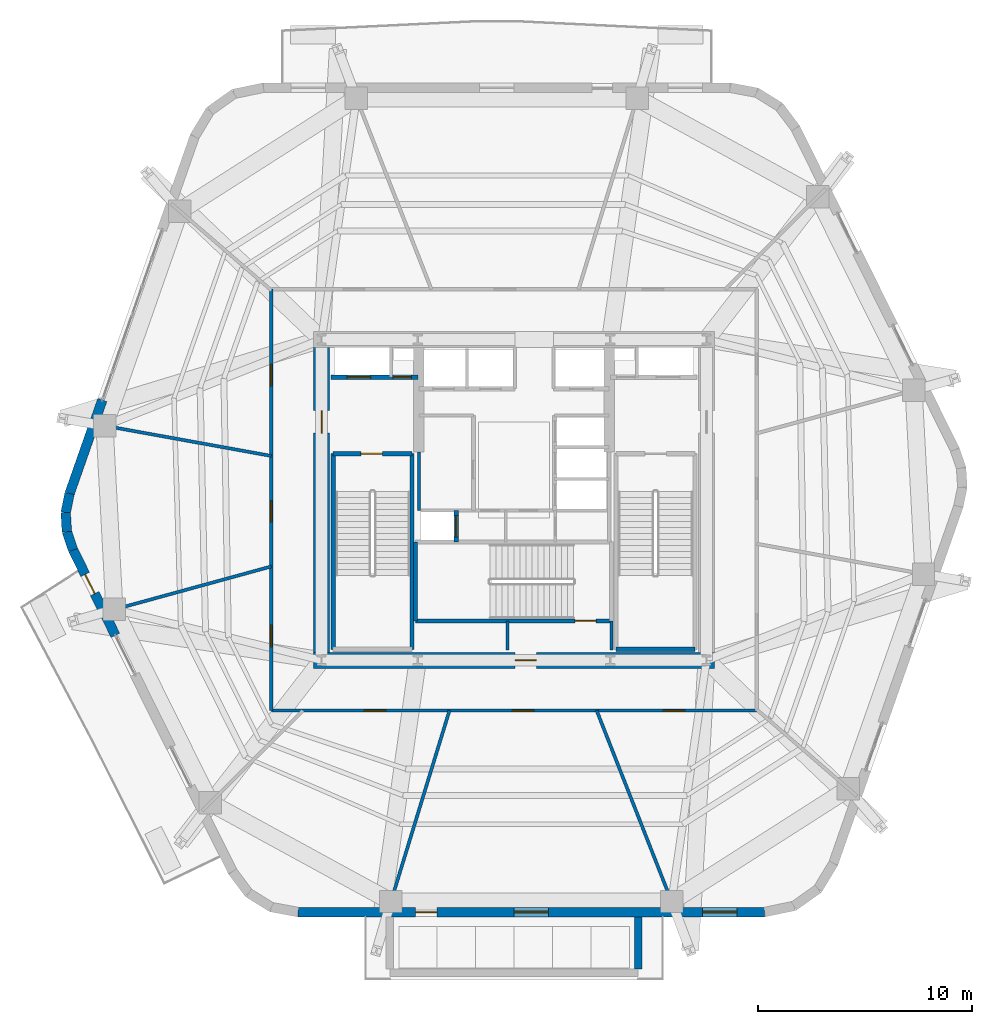
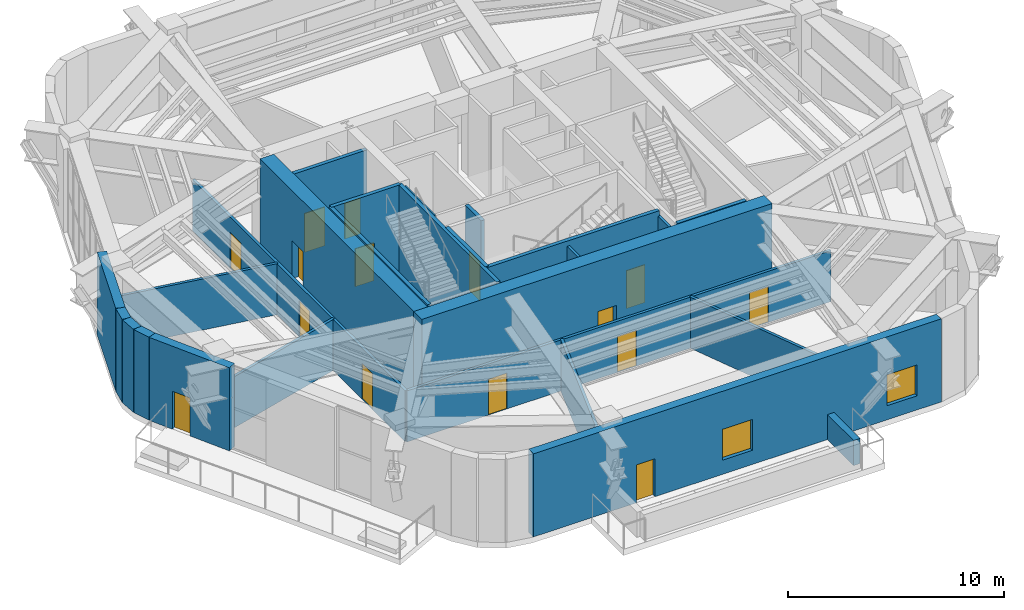
# One storey, part 13 of 18: 26 walls, 15 doors, 2 windows, 17 openings.
"""IFC4 building model written with IfcOpenShell, lengths in metres."""

from ifc_helpers import new_model, si_unit, direction, frame, frame_2d, origin, place, context, subcontext, project, spatial, rectangle, extrude, material, layer, layer_set, type_object, element, fill, save


model = new_model("IFC4")

# Units and contexts
model_context = context("Model", 3, precision=1e-05, world=origin(), true_north=direction((0.0, 1.0)))
body_context = subcontext(model_context, "Body", "Model", "MODEL_VIEW")
ifc_project = project(units=[si_unit("LENGTHUNIT", "METRE"), si_unit("AREAUNIT", "SQUARE_METRE"), si_unit("VOLUMEUNIT", "CUBIC_METRE"), si_unit("PLANEANGLEUNIT", "RADIAN"), si_unit("MASSUNIT", "GRAM", prefix="KILO")], contexts=[model_context])

# Site, building, storey
site_placement = place(None, origin())
site = spatial("IfcSite", under=ifc_project, at=site_placement, CompositionType="ELEMENT")
building_placement = place(site_placement, origin())
building = spatial("IfcBuilding", under=site, at=building_placement, Name="Kilnhurst Terrace Hotel", CompositionType="ELEMENT")
storey_placement = place(building_placement, frame((0.0, 0.0, 201.5)))
storey = spatial("IfcBuildingStorey", under=building, at=storey_placement, Name="L50", CompositionType="ELEMENT", Elevation=201.5)

# Walls
ifc_material_1 = material(Name="Precast concrete C40/50", Category="concrete")
ifc_layer_1 = layer(ifc_material_1, 0.449951171875, Name="Precast concrete C40/50")
ifc_layer_set_1 = layer_set([ifc_layer_1], Name="Precast concrete C40/50")
wall_type_1 = type_object("IfcWallType", Name="WL-BRK-450", PredefinedType="SOLIDWALL", material=ifc_layer_set_1)
wall_1_placement = place(storey_placement, frame((-20.78173828125, 0.298095703125, 0.0), z_axis=(0.0, 0.0, 1.0), x_axis=(-0.202570068411, -0.979267771033, 0.0)))
element("IfcWall", 1, at=wall_1_placement, inside=storey, type_object=wall_type_1, Name="L50 Rounded Corner Brick Wall C6.1", PredefinedType="SOLIDWALL", context=body_context, shape_type="SweptSolid", body=[
    extrude(rectangle(XDim=0.90869140625, YDim=0.449951171875, at=frame_2d((0.454345703125, 0.0))), origin(), (0.0, 0.0, 1.0), 4.699951171875),
])
wall_2_placement = place(storey_placement, frame((-20.9658203125, -0.591796875, 0.0), z_axis=(0.0, 0.0, 1.0), x_axis=(0.061748898935, -0.998091715966, 0.0)))
element("IfcWall", 2, at=wall_2_placement, inside=storey, type_object=wall_type_1, Name="L50 Rounded Corner Brick Wall C6.2", PredefinedType="SOLIDWALL", context=body_context, shape_type="SweptSolid", body=[
    extrude(rectangle(XDim=0.8935546875, YDim=0.449951171875, at=frame_2d((0.44677734375, 0.0))), origin(), (0.0, 0.0, 1.0), 4.699951171875),
])
wall_3_placement = place(storey_placement, frame((-20.91064453125, -1.483642578125, 0.0), z_axis=(0.0, 0.0, 1.0), x_axis=(0.321623334353, -0.946867694453, 0.0)))
element("IfcWall", 3, at=wall_3_placement, inside=storey, type_object=wall_type_1, Name="L50 Rounded Corner Brick Wall C6.3", PredefinedType="SOLIDWALL", context=body_context, shape_type="SweptSolid", body=[
    extrude(rectangle(XDim=0.90869140625, YDim=0.449951171875, at=frame_2d((0.454345703125, 0.0))), origin(), (0.0, 0.0, 1.0), 4.699951171875),
])

# Wall, openings, door, windows
wall_4_placement = place(storey_placement, frame((-10.1083984375, -19.27490234375, 0.0), z_axis=(0.0, 0.0, 1.0), x_axis=(1.0, 0.0, 0.0)))
wall_4 = element("IfcWall", 4, at=wall_4_placement, inside=storey, type_object=wall_type_1, Name="L50 Exterior Brick Facade Wall F1", PredefinedType="SOLIDWALL", context=body_context, shape_type="SweptSolid", body=[
    extrude(rectangle(XDim=21.828857421875, YDim=0.449951171875, at=frame_2d((10.91455078125, 0.0))), origin(), (0.0, 0.0, 1.0), 4.699951171875),
])
opening_1_placement = place(wall_4_placement, frame((5.5029296875, 0.0, 0.0)))
opening_1 = element("IfcOpeningElement", 5, at=opening_1_placement, cuts=wall_4, Name="Opening BD-1000", PredefinedType="OPENING", context=body_context, shape_type="SweptSolid", body=[
    extrude(rectangle(XDim=1.0, YDim=2.14990234375, at=frame_2d((0.5, 1.074951171875))), frame((0.0, 0.23486328125, 0.0), z_axis=(0.0, -1.0, 0.0), x_axis=(1.0, 0.0, 0.0)), (0.0, 0.0, 1.0), 0.469970703125),
])
opening_2_placement = place(wall_4_placement, frame((10.114990234375, 0.0, 0.800048828125)))
opening_2 = element("IfcOpeningElement", 6, at=opening_2_placement, cuts=wall_4, Name="Opening W-05", PredefinedType="OPENING", context=body_context, shape_type="SweptSolid", body=[
    extrude(rectangle(XDim=1.60009765625, YDim=1.75, at=frame_2d((0.800048828125, 0.875))), frame((0.0, 0.23486328125, 0.0), z_axis=(0.0, -1.0, 0.0), x_axis=(1.0, 0.0, 0.0)), (0.0, 0.0, 1.0), 0.469970703125),
])
opening_3_placement = place(wall_4_placement, frame((18.93310546875, 0.0, 0.800048828125)))
opening_3 = element("IfcOpeningElement", 7, at=opening_3_placement, cuts=wall_4, Name="Opening W-05", PredefinedType="OPENING", context=body_context, shape_type="SweptSolid", body=[
    extrude(rectangle(XDim=1.60009765625, YDim=1.75, at=frame_2d((0.800048828125, 0.875))), frame((0.0, 0.23486328125, 0.0), z_axis=(0.0, -1.0, 0.0), x_axis=(1.0, 0.0, 0.0)), (0.0, 0.0, 1.0), 0.469970703125),
])
ifc_material_2 = material(Name="Thermally Broken Bronze Aluminium Alloy 6063-T6 and Laminated Glass", Category="aluminium")
door_type_1 = type_object("IfcDoorType", Name="DR-EXT-BAL-1000", OperationType="NOTDEFINED", PredefinedType="DOOR", material=ifc_material_2)
door_1_placement = place(opening_1_placement, origin())
door_1 = element("IfcDoor", 8, at=door_1_placement, inside=storey, type_object=door_type_1, Name="L50 Planted Balcony Door SKYPOOL", OperationType="SINGLE_SWING_LEFT", OverallHeight=2.14990234375, OverallWidth=1.0, PredefinedType="DOOR", context=body_context, shape_type="SweptSolid", body=[
    extrude(rectangle(XDim=1.0, YDim=2.14990234375, at=frame_2d((0.5, 1.074951171875))), frame((0.0, 0.02490234375, 0.0), z_axis=(0.0, -1.0, 0.0), x_axis=(1.0, 0.0, 0.0)), (0.0, 0.0, 1.0), 0.050048828125),
])
fill(opening_1, door_1)
ifc_material_3 = material(Name="Thermally Broken Bronze Aluminium Alloy 6063-T6 and Low-E Glass", Category="aluminium")
window_type = type_object("IfcWindowType", Name="WIN-1600X1750", PartitioningType="SINGLE_PANEL", PredefinedType="WINDOW", material=ifc_material_3)
window_1_placement = place(opening_2_placement, origin())
window_1 = element("IfcWindow", 9, at=window_1_placement, inside=storey, type_object=window_type, Name="L50 Deep-Set Masonry Window F1.1", OverallHeight=1.75, OverallWidth=1.60009765625, PartitioningType="SINGLE_PANEL", PredefinedType="WINDOW", context=body_context, shape_type="SweptSolid", body=[
    extrude(rectangle(XDim=1.60009765625, YDim=1.75, at=frame_2d((0.800048828125, 0.875))), frame((0.0, 0.030029296875, 0.0), z_axis=(0.0, -1.0, 0.0), x_axis=(1.0, 0.0, 0.0)), (0.0, 0.0, 1.0), 0.06005859375),
])
fill(opening_2, window_1)
window_2_placement = place(opening_3_placement, origin())
window_2 = element("IfcWindow", 10, at=window_2_placement, inside=storey, type_object=window_type, Name="L50 Deep-Set Masonry Window F1.2", OverallHeight=1.75, OverallWidth=1.60009765625, PartitioningType="SINGLE_PANEL", PredefinedType="WINDOW", context=body_context, shape_type="SweptSolid", body=[
    extrude(rectangle(XDim=1.60009765625, YDim=1.75, at=frame_2d((0.800048828125, 0.875))), frame((0.0, 0.030029296875, 0.0), z_axis=(0.0, -1.0, 0.0), x_axis=(1.0, 0.0, 0.0)), (0.0, 0.0, 1.0), 0.06005859375),
])
fill(opening_3, window_2)

# Wall
wall_5_placement = place(storey_placement, frame((-19.251708984375, 4.668701171875, 0.0), z_axis=(0.0, 0.0, 1.0), x_axis=(-0.330411483424, -0.943836983606, 0.0)))
element("IfcWall", 11, at=wall_5_placement, inside=storey, type_object=wall_type_1, Name="L50 Face 5 End Brick Pier", PredefinedType="SOLIDWALL", context=body_context, shape_type="SweptSolid", body=[
    extrude(rectangle(XDim=4.630615234375, YDim=0.449951171875, at=frame_2d((2.3154296875, 0.0))), origin(), (0.0, 0.0, 1.0), 4.699951171875),
])

# Wall, opening, door
wall_6_placement = place(storey_placement, frame((-20.618408203125, -2.343994140625, 0.0), z_axis=(0.0, 0.0, 1.0), x_axis=(0.444248024627, -0.895903841166, 0.0)))
wall_6 = element("IfcWall", 12, at=wall_6_placement, inside=storey, type_object=wall_type_1, Name="L50 Face 6 Brick Pier 1", PredefinedType="SOLIDWALL", context=body_context, shape_type="SweptSolid", body=[
    extrude(rectangle(XDim=4.44921875, YDim=0.449951171875, at=frame_2d((2.224609375, 0.0))), origin(), (0.0, 0.0, 1.0), 4.699951171875),
])
opening_4_placement = place(wall_6_placement, frame((1.27490234375, 0.0, 0.0)))
opening_4 = element("IfcOpeningElement", 13, at=opening_4_placement, cuts=wall_6, Name="Opening BD-1000", PredefinedType="OPENING", context=body_context, shape_type="SweptSolid", body=[
    extrude(rectangle(XDim=1.0, YDim=2.14990234375, at=frame_2d((0.5, 1.074951171875))), frame((0.0, 0.23486328125, 0.0), z_axis=(0.0, -1.0, 0.0), x_axis=(1.0, 0.0, 0.0)), (0.0, 0.0, 1.0), 0.469970703125),
])
door_2_placement = place(opening_4_placement, origin())
door_2 = element("IfcDoor", 14, at=door_2_placement, inside=storey, type_object=door_type_1, Name="L50 Terrace Access Door BAL-L2A", OperationType="SINGLE_SWING_LEFT", OverallHeight=2.14990234375, OverallWidth=1.0, PredefinedType="DOOR", context=body_context, shape_type="SweptSolid", body=[
    extrude(rectangle(XDim=1.0, YDim=2.14990234375, at=frame_2d((0.5, 1.074951171875))), frame((0.0, 0.02490234375, 0.0), z_axis=(0.0, -1.0, 0.0), x_axis=(1.0, 0.0, 0.0)), (0.0, 0.0, 1.0), 0.050048828125),
])
fill(opening_4, door_2)

# Wall, openings, doors
ifc_material_4 = material(Name="Acoustic Double-Gypsum Corridor Partition Assembly")
ifc_layer_2 = layer(ifc_material_4, 0.14990234375, Name="Acoustic Double-Gypsum Corridor Partition Assembly")
ifc_layer_set_2 = layer_set([ifc_layer_2], Name="Acoustic Double-Gypsum Corridor Partition Assembly")
wall_type_2 = type_object("IfcWallType", Name="WL-COR-150", PredefinedType="PARTITIONING", material=ifc_layer_set_2)
wall_7_placement = place(storey_placement, frame((-11.35009765625, -9.85009765625, 0.0), z_axis=(0.0, 0.0, 1.0), x_axis=(0.0, 1.0, 0.0)))
wall_7 = element("IfcWall", 15, at=wall_7_placement, inside=storey, type_object=wall_type_2, Name="L50 Interior Wall WL-L50-COR-01", PredefinedType="PARTITIONING", context=body_context, shape_type="SweptSolid", body=[
    extrude(rectangle(XDim=19.7001953125, YDim=0.14990234375, at=frame_2d((9.85009765625, 0.0))), origin(), (0.0, 0.0, 1.0), 2.889892578125),
])
opening_5_placement = place(wall_7_placement, frame((15.18310546875, 0.0, 0.0)))
opening_5 = element("IfcOpeningElement", 16, at=opening_5_placement, cuts=wall_7, Name="Opening D-10A", PredefinedType="OPENING", context=body_context, shape_type="SweptSolid", body=[
    extrude(rectangle(XDim=1.0, YDim=2.030029296875, at=frame_2d((0.5, 1.01513671875))), frame((0.0, 0.0849609375, 0.0), z_axis=(0.0, -1.0, 0.0), x_axis=(1.0, 0.0, 0.0)), (0.0, 0.0, 1.0), 0.169921875),
])
opening_6_placement = place(wall_7_placement, frame((8.819091796875, 0.0, 0.0)))
opening_6 = element("IfcOpeningElement", 17, at=opening_6_placement, cuts=wall_7, Name="Opening D-10A", PredefinedType="OPENING", context=body_context, shape_type="SweptSolid", body=[
    extrude(rectangle(XDim=1.0, YDim=2.030029296875, at=frame_2d((0.5, 1.01513671875))), frame((0.0, 0.0849609375, 0.0), z_axis=(0.0, -1.0, 0.0), x_axis=(1.0, 0.0, 0.0)), (0.0, 0.0, 1.0), 0.169921875),
])
opening_7_placement = place(wall_7_placement, frame((2.989013671875, 0.0, 0.0)))
opening_7 = element("IfcOpeningElement", 18, at=opening_7_placement, cuts=wall_7, Name="Opening D-10A", PredefinedType="OPENING", context=body_context, shape_type="SweptSolid", body=[
    extrude(rectangle(XDim=1.0, YDim=2.030029296875, at=frame_2d((0.5, 1.01513671875))), frame((0.0, 0.0849609375, 0.0), z_axis=(0.0, -1.0, 0.0), x_axis=(1.0, 0.0, 0.0)), (0.0, 0.0, 1.0), 0.169921875),
])
ifc_material_5 = material(Name="Solid-Core American White Oak Interior Door")
door_type_2 = type_object("IfcDoorType", Name="DR-INT-1000", OperationType="NOTDEFINED", PredefinedType="DOOR", material=ifc_material_5)
door_3_placement = place(opening_5_placement, origin())
door_3 = element("IfcDoor", 19, at=door_3_placement, inside=storey, type_object=door_type_2, Name="L50 Botanical Hydrotherapy Treatment Suite Center Wing Door", OperationType="SINGLE_SWING_LEFT", OverallHeight=2.030029296875, OverallWidth=1.0, PredefinedType="DOOR", context=body_context, shape_type="SweptSolid", body=[
    extrude(rectangle(XDim=1.0, YDim=2.030029296875, at=frame_2d((0.5, 1.01513671875))), frame((0.0, 0.02490234375, 0.0), z_axis=(0.0, -1.0, 0.0), x_axis=(1.0, 0.0, 0.0)), (0.0, 0.0, 1.0), 0.050048828125),
])
fill(opening_5, door_3)
door_4_placement = place(opening_6_placement, origin())
door_4 = element("IfcDoor", 20, at=door_4_placement, inside=storey, type_object=door_type_2, Name="L50 Botanical Hydrotherapy Treatment Suite East Wing Door", OperationType="SINGLE_SWING_RIGHT", OverallHeight=2.030029296875, OverallWidth=1.0, PredefinedType="DOOR", context=body_context, shape_type="SweptSolid", body=[
    extrude(rectangle(XDim=1.0, YDim=2.030029296875, at=frame_2d((0.5, 1.01513671875))), frame((0.0, 0.02490234375, 0.0), z_axis=(0.0, -1.0, 0.0), x_axis=(1.0, 0.0, 0.0)), (0.0, 0.0, 1.0), 0.050048828125),
])
fill(opening_6, door_4)
door_5_placement = place(opening_7_placement, origin())
door_5 = element("IfcDoor", 21, at=door_5_placement, inside=storey, type_object=door_type_2, Name="L50 Sky Spa Changing and Shower Bathroom West Wing Door", OperationType="SINGLE_SWING_LEFT", OverallHeight=2.030029296875, OverallWidth=1.0, PredefinedType="DOOR", context=body_context, shape_type="SweptSolid", body=[
    extrude(rectangle(XDim=1.0, YDim=2.030029296875, at=frame_2d((0.5, 1.01513671875))), frame((0.0, 0.02490234375, 0.0), z_axis=(0.0, -1.0, 0.0), x_axis=(1.0, 0.0, 0.0)), (0.0, 0.0, 1.0), 0.050048828125),
])
fill(opening_7, door_5)

wall_8_placement = place(storey_placement, frame((11.35009765625, -9.85009765625, 0.0), z_axis=(0.0, 0.0, 1.0), x_axis=(-1.0, 0.0, 0.0)))
wall_8 = element("IfcWall", 22, at=wall_8_placement, inside=storey, type_object=wall_type_2, Name="L50 Interior Wall WL-L50-COR-04", PredefinedType="PARTITIONING", context=body_context, shape_type="SweptSolid", body=[
    extrude(rectangle(XDim=22.7001953125, YDim=0.14990234375, at=frame_2d((11.35009765625, 0.0))), origin(), (0.0, 0.0, 1.0), 2.889892578125),
])
opening_8_placement = place(wall_8_placement, frame((17.346923828125, 0.0, 0.0)))
opening_8 = element("IfcOpeningElement", 23, at=opening_8_placement, cuts=wall_8, Name="Opening D-10A", PredefinedType="OPENING", context=body_context, shape_type="SweptSolid", body=[
    extrude(rectangle(XDim=1.0, YDim=2.030029296875, at=frame_2d((0.5, 1.01513671875))), frame((0.0, 0.0849609375, 0.0), z_axis=(0.0, -1.0, 0.0), x_axis=(1.0, 0.0, 0.0)), (0.0, 0.0, 1.0), 0.169921875),
])
opening_9_placement = place(wall_8_placement, frame((10.423095703125, 0.0, 0.0)))
opening_9 = element("IfcOpeningElement", 24, at=opening_9_placement, cuts=wall_8, Name="Opening D-10A", PredefinedType="OPENING", context=body_context, shape_type="SweptSolid", body=[
    extrude(rectangle(XDim=1.0, YDim=2.030029296875, at=frame_2d((0.5, 1.01513671875))), frame((0.0, 0.0849609375, 0.0), z_axis=(0.0, -1.0, 0.0), x_axis=(1.0, 0.0, 0.0)), (0.0, 0.0, 1.0), 0.169921875),
])
opening_10_placement = place(wall_8_placement, frame((3.362060546875, 0.0, 0.0)))
opening_10 = element("IfcOpeningElement", 25, at=opening_10_placement, cuts=wall_8, Name="Opening D-10A", PredefinedType="OPENING", context=body_context, shape_type="SweptSolid", body=[
    extrude(rectangle(XDim=1.0, YDim=2.030029296875, at=frame_2d((0.5, 1.01513671875))), frame((0.0, 0.0849609375, 0.0), z_axis=(0.0, -1.0, 0.0), x_axis=(1.0, 0.0, 0.0)), (0.0, 0.0, 1.0), 0.169921875),
])
door_6_placement = place(opening_8_placement, origin())
door_6 = element("IfcDoor", 26, at=door_6_placement, inside=storey, type_object=door_type_2, Name="L50 Sky Spa Changing and Shower Bathroom Center Wing Door", OperationType="SINGLE_SWING_RIGHT", OverallHeight=2.030029296875, OverallWidth=1.0, PredefinedType="DOOR", context=body_context, shape_type="SweptSolid", body=[
    extrude(rectangle(XDim=1.0, YDim=2.030029296875, at=frame_2d((0.5, 1.01513671875))), frame((0.0, 0.02490234375, 0.0), z_axis=(0.0, -1.0, 0.0), x_axis=(1.0, 0.0, 0.0)), (0.0, 0.0, 1.0), 0.050048828125),
])
fill(opening_8, door_6)
door_7_placement = place(opening_9_placement, origin())
door_7 = element("IfcDoor", 27, at=door_7_placement, inside=storey, type_object=door_type_2, Name="L50 Cantilevered Sky Pool Indoor Vitality Deck West Wing Door", OperationType="SINGLE_SWING_LEFT", OverallHeight=2.030029296875, OverallWidth=1.0, PredefinedType="DOOR", context=body_context, shape_type="SweptSolid", body=[
    extrude(rectangle(XDim=1.0, YDim=2.030029296875, at=frame_2d((0.5, 1.01513671875))), frame((0.0, 0.02490234375, 0.0), z_axis=(0.0, -1.0, 0.0), x_axis=(1.0, 0.0, 0.0)), (0.0, 0.0, 1.0), 0.050048828125),
])
fill(opening_9, door_7)
door_8_placement = place(opening_10_placement, origin())
door_8 = element("IfcDoor", 28, at=door_8_placement, inside=storey, type_object=door_type_2, Name="L50 Cantilevered Sky Pool Indoor Vitality Deck Center Wing Door", OperationType="SINGLE_SWING_RIGHT", OverallHeight=2.030029296875, OverallWidth=1.0, PredefinedType="DOOR", context=body_context, shape_type="SweptSolid", body=[
    extrude(rectangle(XDim=1.0, YDim=2.030029296875, at=frame_2d((0.5, 1.01513671875))), frame((0.0, 0.02490234375, 0.0), z_axis=(0.0, -1.0, 0.0), x_axis=(1.0, 0.0, 0.0)), (0.0, 0.0, 1.0), 0.050048828125),
])
fill(opening_10, door_8)

# Wall, opening, door
ifc_material_6 = material(Name="Concrete C60/75", Category="concrete")
ifc_layer_3 = layer(ifc_material_6, 0.75, Name="Concrete C60/75")
ifc_layer_set_3 = layer_set([ifc_layer_3], Name="Concrete C60/75")
wall_type_3 = type_object("IfcWallType", Name="WL-CORE-750", PredefinedType="SHEAR", material=ifc_layer_set_3)
wall_9_placement = place(storey_placement, frame((-9.375, -7.5, 0.0), z_axis=(0.0, 0.0, 1.0), x_axis=(1.0, 0.0, 0.0)))
wall_9 = element("IfcWall", 29, at=wall_9_placement, inside=storey, type_object=wall_type_3, Name="L50 Core South Shear Wall", PredefinedType="SHEAR", context=body_context, shape_type="SweptSolid", body=[
    extrude(rectangle(XDim=18.75, YDim=0.75, at=frame_2d((9.375, 0.0))), origin(), (0.0, 0.0, 1.0), 5.0),
])
opening_11_placement = place(wall_9_placement, frame((9.425048828125, 0.0, 0.0)))
opening_11 = element("IfcOpeningElement", 30, at=opening_11_placement, cuts=wall_9, Name="Opening D-90B", PredefinedType="OPENING", context=body_context, shape_type="SweptSolid", body=[
    extrude(rectangle(XDim=1.0, YDim=2.14990234375, at=frame_2d((0.5, 1.074951171875))), frame((0.0, 0.385009765625, 0.0), z_axis=(0.0, -1.0, 0.0), x_axis=(1.0, 0.0, 0.0)), (0.0, 0.0, 1.0), 0.77001953125),
])
ifc_material_7 = material(Name="Painted Hollow Metal Steel ASTM A36 Fire Door", Category="steel")
door_type_3 = type_object("IfcDoorType", Name="DR-FD90-1000", OperationType="NOTDEFINED", PredefinedType="DOOR", material=ifc_material_7)
door_9_placement = place(opening_11_placement, origin())
door_9 = element("IfcDoor", 31, at=door_9_placement, inside=storey, type_object=door_type_3, Name="L50 Stair ST-3 Corridor Door", OperationType="SINGLE_SWING_RIGHT", OverallHeight=2.14990234375, OverallWidth=1.0, PredefinedType="DOOR", context=body_context, shape_type="SweptSolid", body=[
    extrude(rectangle(XDim=1.0, YDim=2.14990234375, at=frame_2d((0.5, 1.074951171875))), frame((0.0, 0.02490234375, 0.0), z_axis=(0.0, -1.0, 0.0), x_axis=(1.0, 0.0, 0.0)), (0.0, 0.0, 1.0), 0.050048828125),
])
fill(opening_11, door_9)

wall_10_placement = place(storey_placement, frame((-9.0, -7.125, 0.0), z_axis=(0.0, 0.0, 1.0), x_axis=(0.0, 1.0, 0.0)))
wall_10 = element("IfcWall", 32, at=wall_10_placement, inside=storey, type_object=wall_type_3, Name="L50 Core West Shear Wall", PredefinedType="SHEAR", context=body_context, shape_type="SweptSolid", body=[
    extrude(rectangle(XDim=14.25, YDim=0.75, at=frame_2d((7.125, 0.0))), origin(), (0.0, 0.0, 1.0), 5.0),
])
opening_12_placement = place(wall_10_placement, frame((10.25, 0.0, 0.0)))
opening_12 = element("IfcOpeningElement", 33, at=opening_12_placement, cuts=wall_10, Name="Opening D-90A", PredefinedType="OPENING", context=body_context, shape_type="SweptSolid", body=[
    extrude(rectangle(XDim=1.050048828125, YDim=2.14990234375, at=frame_2d((0.52490234375, 1.074951171875))), frame((0.0, 0.385009765625, 0.0), z_axis=(0.0, -1.0, 0.0), x_axis=(1.0, 0.0, 0.0)), (0.0, 0.0, 1.0), 0.77001953125),
])
door_type_4 = type_object("IfcDoorType", Name="DR-FD90-1050", OperationType="NOTDEFINED", PredefinedType="DOOR", material=ifc_material_7)
door_10_placement = place(opening_12_placement, origin())
door_10 = element("IfcDoor", 34, at=door_10_placement, inside=storey, type_object=door_type_4, Name="L50 West Firefighting Lobby Door", OperationType="SINGLE_SWING_RIGHT", OverallHeight=2.14990234375, OverallWidth=1.050048828125, PredefinedType="DOOR", context=body_context, shape_type="SweptSolid", body=[
    extrude(rectangle(XDim=1.050048828125, YDim=2.14990234375, at=frame_2d((0.52490234375, 1.074951171875))), frame((0.0, 0.02490234375, 0.0), z_axis=(0.0, -1.0, 0.0), x_axis=(1.0, 0.0, 0.0)), (0.0, 0.0, 1.0), 0.050048828125),
])
fill(opening_12, door_10)

# Walls
ifc_material_8 = material(Name="150 mm Acoustic Gypsum Hospitality Partition")
ifc_layer_4 = layer(ifc_material_8, 0.14990234375, Name="150 mm Acoustic Gypsum Hospitality Partition")
ifc_layer_set_4 = layer_set([ifc_layer_4], Name="150 mm Acoustic Gypsum Hospitality Partition")
wall_type_4 = type_object("IfcWallType", Name="WL-PART-150", PredefinedType="PARTITIONING", material=ifc_layer_set_4)
wall_11_placement = place(storey_placement, frame((-11.35009765625, 2.05517578125, 0.0), z_axis=(0.0, 0.0, 1.0), x_axis=(-0.983999921986, 0.178168890468, 0.0)))
element("IfcWall", 35, at=wall_11_placement, inside=storey, type_object=wall_type_4, Name="L50 Interior Wall WL-L50-SCOL-06-1", PredefinedType="PARTITIONING", context=body_context, shape_type="SweptSolid", body=[
    extrude(rectangle(XDim=8.42578125, YDim=0.14990234375, at=frame_2d((4.212890625, 0.0))), origin(), (0.0, 0.0, 1.0), 2.889892578125),
])
wall_12_placement = place(storey_placement, frame((-11.35009765625, -3.1123046875, 0.0), z_axis=(0.0, 0.0, 1.0), x_axis=(-0.964400374182, -0.264446437445, 0.0)))
element("IfcWall", 36, at=wall_12_placement, inside=storey, type_object=wall_type_4, Name="L50 Interior Wall WL-L50-SCOL-07-1", PredefinedType="PARTITIONING", context=body_context, shape_type="SweptSolid", body=[
    extrude(rectangle(XDim=8.1123046875, YDim=0.14990234375, at=frame_2d((4.05615234375, 0.0))), origin(), (0.0, 0.0, 1.0), 2.889892578125),
])
wall_13_placement = place(storey_placement, frame((-3.0185546875, -9.85009765625, 0.0), z_axis=(0.0, 0.0, 1.0), x_axis=(-0.292996168014, -0.956113615387, 0.0)))
element("IfcWall", 37, at=wall_13_placement, inside=storey, type_object=wall_type_4, Name="L50 Interior Wall WL-L50-SCOL-09-1", PredefinedType="PARTITIONING", context=body_context, shape_type="SweptSolid", body=[
    extrude(rectangle(XDim=9.857421875, YDim=0.14990234375, at=frame_2d((4.9287109375, 0.0))), origin(), (0.0, 0.0, 1.0), 2.889892578125),
])
wall_14_placement = place(storey_placement, frame((3.864990234375, -9.85009765625, 0.0), z_axis=(0.0, 0.0, 1.0), x_axis=(0.365279308356, -0.930897968033, 0.0)))
element("IfcWall", 38, at=wall_14_placement, inside=storey, type_object=wall_type_4, Name="L50 Interior Wall WL-L50-SCOL-10-1", PredefinedType="PARTITIONING", context=body_context, shape_type="SweptSolid", body=[
    extrude(rectangle(XDim=10.12451171875, YDim=0.14990234375, at=frame_2d((5.062255859375, 0.0))), origin(), (0.0, 0.0, 1.0), 2.889892578125),
])
ifc_material_9 = material(Name="Concrete C50/60", Category="concrete")
ifc_layer_5 = layer(ifc_material_9, 0.35009765625, Name="Concrete C50/60")
ifc_layer_set_5 = layer_set([ifc_layer_5], Name="Concrete C50/60")
wall_type_5 = type_object("IfcWallType", Name="WL-POOL-350", PredefinedType="SOLIDWALL", material=ifc_layer_set_5)
wall_15_placement = place(storey_placement, frame((5.800048828125, -21.929931640625, 0.0), z_axis=(0.0, 0.0, 1.0), x_axis=(0.0, 1.0, 0.0)))
element("IfcWall", 39, at=wall_15_placement, inside=storey, type_object=wall_type_5, Name="L50 Sky Pool East Tank Wall", PredefinedType="SOLIDWALL", context=body_context, shape_type="SweptSolid", body=[
    extrude(rectangle(XDim=2.429931640625, YDim=0.35009765625, at=frame_2d((1.21484375, 0.0))), origin(), (0.0, 0.0, 1.0), 1.419921875),
])
ifc_material_10 = material(Name="Fire-Rated Gypsum Shaftliner Assembly")
ifc_layer_6 = layer(ifc_material_10, 0.14990234375, Name="Fire-Rated Gypsum Shaftliner Assembly")
ifc_layer_set_6 = layer_set([ifc_layer_6], Name="Fire-Rated Gypsum Shaftliner Assembly")
wall_type_6 = type_object("IfcWallType", Name="WL-SHAFT-150", PredefinedType="PARTITIONING", material=ifc_layer_set_6)
for number, where, z_axis, x_axis, name in (
    (40, (-0.300048828125, -7.02001953125, 0.0), (0.0, 0.0, 1.0), (0.0, 1.0, 0.0), "L50 Interior Wall WL-L50-ST3-PSGW"),
    (41, (4.55810546875, -7.02001953125, 0.0), (0.0, 0.0, 1.0), (0.0, 1.0, 0.0), "L50 Interior Wall WL-L50-ST3-PSGE"),
):
    element("IfcWall", number, at=place(storey_placement, frame(where, z_axis=z_axis, x_axis=x_axis)), inside=storey, type_object=wall_type_6, Name=name, PredefinedType="PARTITIONING", context=body_context, shape_type="SweptSolid", body=[
        extrude(rectangle(XDim=1.362060546875, YDim=0.14990234375, at=frame_2d((0.68115234375, 0.0))), origin(), (0.0, 0.0, 1.0), 4.699951171875),
    ])
wall_16_placement = place(storey_placement, frame((-4.449951171875, -0.5, 0.0), z_axis=(0.0, 0.0, 1.0), x_axis=(0.0, 1.0, 0.0)))
element("IfcWall", 42, at=wall_16_placement, inside=storey, type_object=wall_type_6, Name="L50 Interior Wall WL-L50-XLOB-W", PredefinedType="PARTITIONING", context=body_context, shape_type="SweptSolid", body=[
    extrude(rectangle(XDim=2.75, YDim=0.14990234375, at=frame_2d((1.375, 0.0))), origin(), (0.0, 0.0, 1.0), 4.699951171875),
])

# Wall, openings, doors
ifc_material_11 = material(Name="Autoclaved Aerated Concrete C30/37 and Gypsum Shaft Assembly", Category="concrete")
ifc_layer_7 = layer(ifc_material_11, 0.199951171875, Name="Autoclaved Aerated Concrete C30/37 and Gypsum Shaft Assembly")
ifc_layer_set_7 = layer_set([ifc_layer_7], Name="Autoclaved Aerated Concrete C30/37 and Gypsum Shaft Assembly")
wall_type_7 = type_object("IfcWallType", Name="WL-SHAFT-200", PredefinedType="PARTITIONING", material=ifc_layer_set_7)
wall_17_placement = place(storey_placement, frame((-8.550048828125, 5.739990234375, 0.0), z_axis=(0.0, 0.0, 1.0), x_axis=(1.0, 0.0, 0.0)))
wall_17 = element("IfcWall", 43, at=wall_17_placement, inside=storey, type_object=wall_type_7, Name="L50 Interior Wall WL-L50-FSAE1-S", PredefinedType="PARTITIONING", context=body_context, shape_type="SweptSolid", body=[
    extrude(rectangle(XDim=4.050048828125, YDim=0.199951171875, at=frame_2d((2.02490234375, 0.0))), origin(), (0.0, 0.0, 1.0), 4.699951171875),
])
opening_13_placement = place(wall_17_placement, frame((0.75, 0.0, 0.0)))
opening_13 = element("IfcOpeningElement", 44, at=opening_13_placement, cuts=wall_17, Name="Opening LD-F1", PredefinedType="OPENING", context=body_context, shape_type="SweptSolid", body=[
    extrude(rectangle(XDim=1.10009765625, YDim=2.199951171875, at=frame_2d((0.550048828125, 1.10009765625))), frame((0.0, 0.10986328125, 0.0), z_axis=(0.0, -1.0, 0.0), x_axis=(1.0, 0.0, 0.0)), (0.0, 0.0, 1.0), 0.219970703125),
])
opening_14_placement = place(wall_17_placement, frame((2.89990234375, 0.0, 0.0)))
opening_14 = element("IfcOpeningElement", 45, at=opening_14_placement, cuts=wall_17, Name="Opening D-60D", PredefinedType="OPENING", context=body_context, shape_type="SweptSolid", body=[
    extrude(rectangle(XDim=0.85009765625, YDim=2.030029296875, at=frame_2d((0.425048828125, 1.01513671875))), frame((0.0, 0.10986328125, 0.0), z_axis=(0.0, -1.0, 0.0), x_axis=(1.0, 0.0, 0.0)), (0.0, 0.0, 1.0), 0.219970703125),
])
ifc_material_12 = material(Name="Painted Hollow Metal Steel ASTM A36 Riser Door", Category="steel")
door_type_5 = type_object("IfcDoorType", Name="DR-FD60-850", OperationType="NOTDEFINED", PredefinedType="DOOR", material=ifc_material_12)
door_11_placement = place(opening_14_placement, origin())
door_11 = element("IfcDoor", 46, at=door_11_placement, inside=storey, type_object=door_type_5, Name="L50 Electrical Riser Door", OperationType="SINGLE_SWING_LEFT", OverallHeight=2.030029296875, OverallWidth=0.85009765625, PredefinedType="DOOR", context=body_context, shape_type="SweptSolid", body=[
    extrude(rectangle(XDim=0.85009765625, YDim=2.030029296875, at=frame_2d((0.425048828125, 1.01513671875))), frame((0.0, 0.02490234375, 0.0), z_axis=(0.0, -1.0, 0.0), x_axis=(1.0, 0.0, 0.0)), (0.0, 0.0, 1.0), 0.050048828125),
])
fill(opening_14, door_11)
ifc_material_13 = material(Name="Bronze-Anodized Stainless Steel AISI 316L Sliding Door", Category="steel")
door_type_6 = type_object("IfcDoorType", Name="DR-LIFT-1100", OperationType="NOTDEFINED", PredefinedType="DOOR", material=ifc_material_13)
door_12_placement = place(opening_13_placement, origin())
door_12 = element("IfcDoor", 47, at=door_12_placement, inside=storey, type_object=door_type_6, Name="L50 FSAE-1 Landing Door", OperationType="SLIDING_TO_LEFT", OverallHeight=2.199951171875, OverallWidth=1.10009765625, PredefinedType="DOOR", context=body_context, shape_type="SweptSolid", body=[
    extrude(rectangle(XDim=1.10009765625, YDim=2.199951171875, at=frame_2d((0.550048828125, 1.10009765625))), frame((0.0, 0.02490234375, 0.0), z_axis=(0.0, -1.0, 0.0), x_axis=(1.0, 0.0, 0.0)), (0.0, 0.0, 1.0), 0.050048828125),
])
fill(opening_13, door_12)

# Wall, opening, door
wall_18_placement = place(storey_placement, frame((-2.699951171875, -1.971923828125, 0.0), z_axis=(0.0, 0.0, 1.0), x_axis=(0.0, 1.0, 0.0)))
wall_18 = element("IfcWall", 48, at=wall_18_placement, inside=storey, type_object=wall_type_7, Name="L50 Interior Wall WL-L50-SRV1-E", PredefinedType="PARTITIONING", context=body_context, shape_type="SweptSolid", body=[
    extrude(rectangle(XDim=1.471923828125, YDim=0.199951171875, at=frame_2d((0.73583984375, 0.0))), origin(), (0.0, 0.0, 1.0), 4.699951171875),
])
opening_15_placement = place(wall_18_placement, frame((0.239990234375, 0.0, 0.0)))
opening_15 = element("IfcOpeningElement", 49, at=opening_15_placement, cuts=wall_18, Name="Opening LD-SV", PredefinedType="OPENING", context=body_context, shape_type="SweptSolid", body=[
    extrude(rectangle(XDim=1.0, YDim=2.199951171875, at=frame_2d((0.5, 1.10009765625))), frame((0.0, 0.10986328125, 0.0), z_axis=(0.0, -1.0, 0.0), x_axis=(1.0, 0.0, 0.0)), (0.0, 0.0, 1.0), 0.219970703125),
])
door_type_7 = type_object("IfcDoorType", Name="DR-LIFT-1000", OperationType="NOTDEFINED", PredefinedType="DOOR", material=ifc_material_13)
door_13_placement = place(opening_15_placement, origin())
door_13 = element("IfcDoor", 50, at=door_13_placement, inside=storey, type_object=door_type_7, Name="L50 Service Lift SRV-1 Landing Door", OperationType="SLIDING_TO_LEFT", OverallHeight=2.199951171875, OverallWidth=1.0, PredefinedType="DOOR", context=body_context, shape_type="SweptSolid", body=[
    extrude(rectangle(XDim=1.0, YDim=2.199951171875, at=frame_2d((0.5, 1.10009765625))), frame((0.0, 0.02490234375, 0.0), z_axis=(0.0, -1.0, 0.0), x_axis=(1.0, 0.0, 0.0)), (0.0, 0.0, 1.0), 0.050048828125),
])
fill(opening_15, door_13)

# Walls
ifc_layer_8 = layer(ifc_material_9, 0.199951171875, Name="Concrete C50/60")
ifc_layer_set_8 = layer_set([ifc_layer_8], Name="Concrete C50/60")
wall_type_8 = type_object("IfcWallType", Name="WL-STAIR-RC-200", PredefinedType="SHEAR", material=ifc_layer_set_8)
for number, where, z_axis, x_axis, name in (
    (51, (-8.4580078125, -6.985107421875, 0.0), (0.0, 0.0, 1.0), (0.0, 1.0, 0.0), "L50 Structural Stair Shaft Wall WL-L50-ST1-W"),
    (52, (-4.77197265625, -6.985107421875, 0.0), (0.0, 0.0, 1.0), (0.0, 1.0, 0.0), "L50 Structural Stair Shaft Wall WL-L50-ST1-E"),
):
    element("IfcWall", number, at=place(storey_placement, frame(where, z_axis=z_axis, x_axis=x_axis)), inside=storey, type_object=wall_type_8, Name=name, PredefinedType="SHEAR", context=body_context, shape_type="SweptSolid", body=[
        extrude(rectangle(XDim=9.14306640625, YDim=0.199951171875, at=frame_2d((4.571533203125, 0.0))), origin(), (0.0, 0.0, 1.0), 5.0),
    ])

# Wall, opening, door
wall_19_placement = place(storey_placement, frame((-8.4580078125, 2.157958984375, 0.0), z_axis=(0.0, 0.0, 1.0), x_axis=(1.0, 0.0, 0.0)))
wall_19 = element("IfcWall", 53, at=wall_19_placement, inside=storey, type_object=wall_type_8, Name="L50 Structural Stair Shaft Wall WL-L50-ST1-N", PredefinedType="SHEAR", context=body_context, shape_type="SweptSolid", body=[
    extrude(rectangle(XDim=3.68603515625, YDim=0.199951171875, at=frame_2d((1.843017578125, 0.0))), origin(), (0.0, 0.0, 1.0), 5.0),
])
opening_16_placement = place(wall_19_placement, frame((1.300048828125, 0.0, 0.0)))
opening_16 = element("IfcOpeningElement", 54, at=opening_16_placement, cuts=wall_19, Name="Opening D-90B", PredefinedType="OPENING", context=body_context, shape_type="SweptSolid", body=[
    extrude(rectangle(XDim=1.0, YDim=2.14990234375, at=frame_2d((0.5, 1.074951171875))), frame((0.0, 0.10986328125, 0.0), z_axis=(0.0, -1.0, 0.0), x_axis=(1.0, 0.0, 0.0)), (0.0, 0.0, 1.0), 0.219970703125),
])
door_14_placement = place(opening_16_placement, origin())
door_14 = element("IfcDoor", 55, at=door_14_placement, inside=storey, type_object=door_type_3, Name="L50 Stair ST-1 Door", OperationType="SINGLE_SWING_LEFT", OverallHeight=2.14990234375, OverallWidth=1.0, PredefinedType="DOOR", context=body_context, shape_type="SweptSolid", body=[
    extrude(rectangle(XDim=1.0, YDim=2.14990234375, at=frame_2d((0.5, 1.074951171875))), frame((0.0, 0.02490234375, 0.0), z_axis=(0.0, -1.0, 0.0), x_axis=(1.0, 0.0, 0.0)), (0.0, 0.0, 1.0), 0.050048828125),
])
fill(opening_16, door_14)

# Walls
for number, where, z_axis, x_axis, name in (
    (56, (4.77197265625, -6.985107421875, 0.0), (0.0, 0.0, 1.0), (1.0, 0.0, 0.0), "L50 Structural Stair Shaft Wall WL-L50-ST2-S"),
    (57, (-4.60791015625, -5.657958984375, 0.0), (0.0, 0.0, 1.0), (0.0, 1.0, 0.0), "L50 Structural Stair Shaft Wall WL-L50-ST3-W"),
):
    element("IfcWall", number, at=place(storey_placement, frame(where, z_axis=z_axis, x_axis=x_axis)), inside=storey, type_object=wall_type_8, Name=name, PredefinedType="SHEAR", context=body_context, shape_type="SweptSolid", body=[
        extrude(rectangle(XDim=3.68603515625, YDim=0.199951171875, at=frame_2d((1.843017578125, 0.0))), origin(), (0.0, 0.0, 1.0), 5.0),
    ])

# Wall, opening, door
wall_20_placement = place(storey_placement, frame((-4.60791015625, -5.657958984375, 0.0), z_axis=(0.0, 0.0, 1.0), x_axis=(1.0, 0.0, 0.0)))
wall_20 = element("IfcWall", 58, at=wall_20_placement, inside=storey, type_object=wall_type_8, Name="L50 Structural Stair Shaft Wall WL-L50-ST3-S", PredefinedType="SHEAR", context=body_context, shape_type="SweptSolid", body=[
    extrude(rectangle(XDim=9.166015625, YDim=0.199951171875, at=frame_2d((4.5830078125, 0.0))), origin(), (0.0, 0.0, 1.0), 5.0),
])
opening_17_placement = place(wall_20_placement, frame((7.449951171875, 0.0, 0.0)))
opening_17 = element("IfcOpeningElement", 59, at=opening_17_placement, cuts=wall_20, Name="Opening D-90B", PredefinedType="OPENING", context=body_context, shape_type="SweptSolid", body=[
    extrude(rectangle(XDim=1.0, YDim=2.14990234375, at=frame_2d((0.5, 1.074951171875))), frame((0.0, 0.10986328125, 0.0), z_axis=(0.0, -1.0, 0.0), x_axis=(1.0, 0.0, 0.0)), (0.0, 0.0, 1.0), 0.219970703125),
])
door_15_placement = place(opening_17_placement, origin())
door_15 = element("IfcDoor", 60, at=door_15_placement, inside=storey, type_object=door_type_3, Name="L50 Stair ST-3 Shaft Door", OperationType="SINGLE_SWING_LEFT", OverallHeight=2.14990234375, OverallWidth=1.0, PredefinedType="DOOR", context=body_context, shape_type="SweptSolid", body=[
    extrude(rectangle(XDim=1.0, YDim=2.14990234375, at=frame_2d((0.5, 1.074951171875))), frame((0.0, 0.02490234375, 0.0), z_axis=(0.0, -1.0, 0.0), x_axis=(1.0, 0.0, 0.0)), (0.0, 0.0, 1.0), 0.050048828125),
])
fill(opening_17, door_15)

save(model, "model.ifc")
